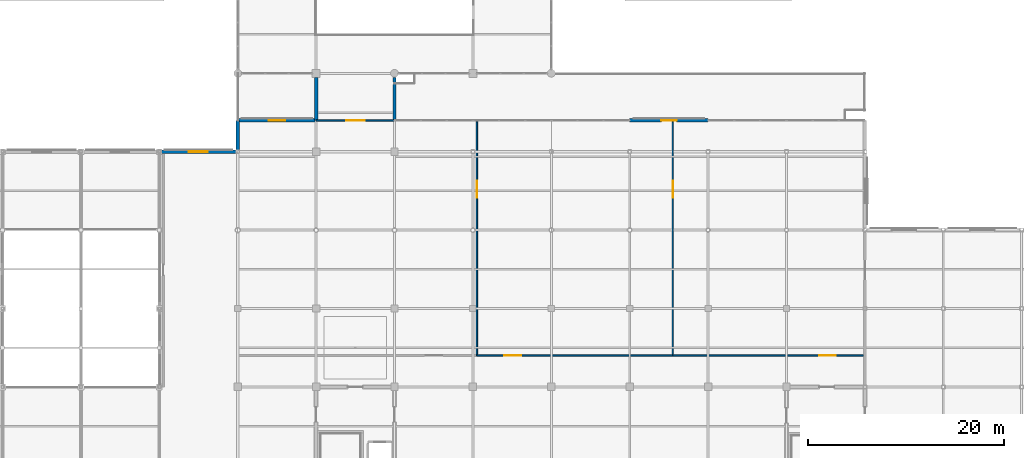
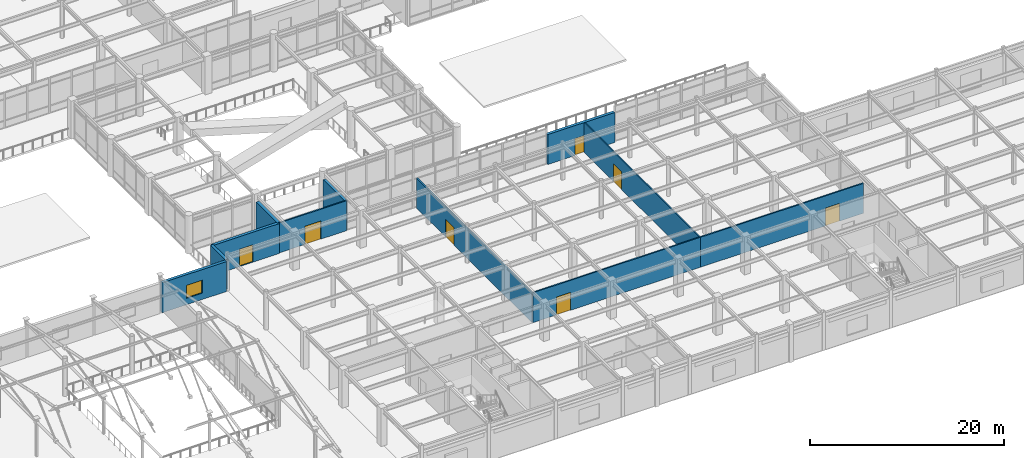
# One storey, part 92 of 117: 11 walls, 7 doors, 1 window, 8 openings.
"""IFC4 building model written with IfcOpenShell, lengths in metres."""

from ifc_helpers import new_model, si_unit, direction, frame, frame_2d, origin, place, context, subcontext, project, spatial, rectangle, extrude, material, layer, layer_set, type_object, element, fill, save


model = new_model("IFC4")

# Units and contexts
model_context = context("Model", 3, precision=1e-05, world=origin(), true_north=direction((0.0, 1.0)))
body_context = subcontext(model_context, "Body", "Model", "MODEL_VIEW")
ifc_project = project(units=[si_unit("LENGTHUNIT", "METRE"), si_unit("AREAUNIT", "SQUARE_METRE"), si_unit("VOLUMEUNIT", "CUBIC_METRE"), si_unit("PLANEANGLEUNIT", "RADIAN"), si_unit("MASSUNIT", "GRAM", prefix="KILO")], contexts=[model_context])

# Site, building, storey
site_placement = place(None, origin())
site = spatial("IfcSite", under=ifc_project, at=site_placement, CompositionType="ELEMENT")
building_placement = place(site_placement, origin())
building = spatial("IfcBuilding", under=site, at=building_placement, Name="Solmirada Galleria", CompositionType="ELEMENT")
storey_placement = place(building_placement, frame((0.0, 0.0, 5.60009765625)))
storey = spatial("IfcBuildingStorey", under=building, at=storey_placement, Name="L01", CompositionType="ELEMENT", Elevation=5.60009765625)

# Wall
ifc_material_1 = material(Name="Precast concrete C40/50", Category="concrete")
ifc_layer_1 = layer(ifc_material_1, 0.340087890625)
ifc_layer_set_1 = layer_set([ifc_layer_1], Name="Precast concrete C40/50")
wall_type_1 = type_object("IfcWallType", Name="WL-EXT-340", PredefinedType="STANDARD", material=ifc_layer_set_1)
wall_1_placement = place(storey_placement, frame((80.0, 40.177978515625, 0.0), z_axis=(0.0, 0.0, 1.0), x_axis=(0.0, 1.0, 0.0)))
element("IfcWall", 1, at=wall_1_placement, inside=storey, type_object=wall_type_1, Name="Exterior wall L01 bay 001", PredefinedType="STANDARD", context=body_context, shape_type="SweptSolid", body=[
    extrude(rectangle(XDim=3.02197265625, YDim=0.340087890625, at=frame_2d((1.510986328125, 0.0))), origin(), (0.0, 0.0, 1.0), 3.77978515625),
])

# Wall, opening, door
wall_2_placement = place(storey_placement, frame((80.0, 43.199951171875, 0.0), z_axis=(0.0, 0.0, 1.0), x_axis=(1.0, 0.0, 0.0)))
wall_2 = element("IfcWall", 2, at=wall_2_placement, inside=storey, type_object=wall_type_1, Name="Exterior wall L01 bay 002", PredefinedType="STANDARD", context=body_context, shape_type="SweptSolid", body=[
    extrude(rectangle(XDim=8.0, YDim=0.340087890625, at=frame_2d((4.0, 0.0))), origin(), (0.0, 0.0, 1.0), 3.77978515625),
])
opening_1_placement = place(wall_2_placement, frame((3.175048828125, 0.0, 0.0)))
opening_1 = element("IfcOpeningElement", 3, at=opening_1_placement, cuts=wall_2, Name="Opening TD-056", PredefinedType="OPENING", context=body_context, shape_type="SweptSolid", body=[
    extrude(rectangle(XDim=1.64990234375, YDim=2.199951171875, at=frame_2d((0.824951171875, 1.10009765625))), frame((0.0, 0.179931640625, 0.0), z_axis=(0.0, -1.0, 0.0), x_axis=(1.0, 0.0, 0.0)), (0.0, 0.0, 1.0), 0.360107421875),
])
ifc_material_2 = material(Name="Thermally broken aluminium and laminated glass door", Category="aluminium")
door_type_1 = type_object("IfcDoorType", Name="DR-TERR-165X220", OperationType="DOUBLE_DOOR_SINGLE_SWING", PredefinedType="DOOR", material=ifc_material_2)
door_1_placement = place(opening_1_placement, origin())
door_1 = element("IfcDoor", 4, at=door_1_placement, inside=storey, type_object=door_type_1, Name="Planted terrace access door TD-056", OperationType="DOUBLE_DOOR_SINGLE_SWING", OverallHeight=2.199951171875, OverallWidth=1.64990234375, PredefinedType="DOOR", context=body_context, shape_type="SweptSolid", body=[
    extrude(rectangle(XDim=1.64990234375, YDim=2.199951171875, at=frame_2d((0.824951171875, 1.10009765625))), frame((0.0, 0.02490234375, 0.0), z_axis=(0.0, -1.0, 0.0), x_axis=(1.0, 0.0, 0.0)), (0.0, 0.0, 1.0), 0.050048828125),
])
fill(opening_1, door_1)

# Walls
for number, where, z_axis, x_axis, name in (
    (5, (88.0, 43.199951171875, 0.0), (0.0, 0.0, 1.0), (0.0, 1.0, 0.0), "Exterior wall L01 bay 003"),
    (6, (96.0, 47.60009765625, 0.0), (0.0, 0.0, 1.0), (0.0, -1.0, 0.0), "Exterior wall L01 bay 064"),
):
    element("IfcWall", number, at=place(storey_placement, frame(where, z_axis=z_axis, x_axis=x_axis)), inside=storey, type_object=wall_type_1, Name=name, PredefinedType="STANDARD", context=body_context, shape_type="SweptSolid", body=[
        extrude(rectangle(XDim=4.400146484375, YDim=0.340087890625, at=frame_2d((2.2001953125, 0.0))), origin(), (0.0, 0.0, 1.0), 3.77978515625),
    ])

# Wall, opening, door
wall_3_placement = place(storey_placement, frame((120.0, 43.199951171875, 0.0), z_axis=(0.0, 0.0, 1.0), x_axis=(1.0, 0.0, 0.0)))
wall_3 = element("IfcWall", 7, at=wall_3_placement, inside=storey, type_object=wall_type_1, Name="Exterior wall L01 bay 068", PredefinedType="STANDARD", context=body_context, shape_type="SweptSolid", body=[
    extrude(rectangle(XDim=8.0, YDim=0.340087890625, at=frame_2d((4.0, 0.0))), origin(), (0.0, 0.0, 1.0), 3.77978515625),
])
opening_2_placement = place(wall_3_placement, frame((3.22509765625, 0.0, 0.0)))
opening_2 = element("IfcOpeningElement", 8, at=opening_2_placement, cuts=wall_3, Name="Opening TD-059", PredefinedType="OPENING", context=body_context, shape_type="SweptSolid", body=[
    extrude(rectangle(XDim=1.550048828125, YDim=2.14990234375, at=frame_2d((0.77490234375, 1.074951171875))), frame((0.0, 0.179931640625, 0.0), z_axis=(0.0, -1.0, 0.0), x_axis=(1.0, 0.0, 0.0)), (0.0, 0.0, 1.0), 0.360107421875),
])
door_type_2 = type_object("IfcDoorType", Name="DR-TERR-155X215", OperationType="DOUBLE_DOOR_SINGLE_SWING", PredefinedType="DOOR", material=ifc_material_2)
door_2_placement = place(opening_2_placement, origin())
door_2 = element("IfcDoor", 9, at=door_2_placement, inside=storey, type_object=door_type_2, Name="Planted terrace access door TD-059", OperationType="DOUBLE_DOOR_SINGLE_SWING", OverallHeight=2.14990234375, OverallWidth=1.550048828125, PredefinedType="DOOR", context=body_context, shape_type="SweptSolid", body=[
    extrude(rectangle(XDim=1.550048828125, YDim=2.14990234375, at=frame_2d((0.77490234375, 1.074951171875))), frame((0.0, 0.02490234375, 0.0), z_axis=(0.0, -1.0, 0.0), x_axis=(1.0, 0.0, 0.0)), (0.0, 0.0, 1.0), 0.050048828125),
])
fill(opening_2, door_2)

# Wall, opening, window
wall_4_placement = place(storey_placement, frame((72.126953125, 40.0, 0.0), z_axis=(0.0, 0.0, 1.0), x_axis=(1.0, 0.0, 0.0)))
wall_4 = element("IfcWall", 10, at=wall_4_placement, inside=storey, type_object=wall_type_1, Name="Exterior wall L01 bay 107", PredefinedType="STANDARD", context=body_context, shape_type="SweptSolid", body=[
    extrude(rectangle(XDim=7.695068359375, YDim=0.340087890625, at=frame_2d((3.84765625, 0.0))), origin(), (0.0, 0.0, 1.0), 3.77978515625),
])
opening_3_placement = place(wall_4_placement, frame((2.89794921875, 0.0, 0.800048828125)))
opening_3 = element("IfcOpeningElement", 11, at=opening_3_placement, cuts=wall_4, Name="Opening WN18", PredefinedType="OPENING", context=body_context, shape_type="SweptSolid", body=[
    extrude(rectangle(XDim=1.89990234375, YDim=1.64990234375, at=frame_2d((0.949951171875, 0.824951171875))), frame((0.0, 0.179931640625, 0.0), z_axis=(0.0, -1.0, 0.0), x_axis=(1.0, 0.0, 0.0)), (0.0, 0.0, 1.0), 0.360107421875),
])
ifc_material_3 = material(Name="Impact-resistant low-E double glazing", Category="glass")
window_type = type_object("IfcWindowType", Name="WIN-FH-190X165", PartitioningType="DOUBLE_PANEL_VERTICAL", PredefinedType="WINDOW", material=ifc_material_3)
window_placement = place(opening_3_placement, origin())
window = element("IfcWindow", 12, at=window_placement, inside=storey, type_object=window_type, Name="Window L01-033", OverallHeight=1.64990234375, OverallWidth=1.89990234375, PartitioningType="DOUBLE_PANEL_VERTICAL", PredefinedType="WINDOW", context=body_context, shape_type="SweptSolid", body=[
    extrude(rectangle(XDim=1.89990234375, YDim=1.64990234375, at=frame_2d((0.949951171875, 0.824951171875))), frame((0.0, 0.030029296875, 0.0), z_axis=(0.0, -1.0, 0.0), x_axis=(1.0, 0.0, 0.0)), (0.0, 0.0, 1.0), 0.06005859375),
])
fill(opening_3, window)

# Wall, opening, door
ifc_material_4 = material(Name="Acoustic gypsum board partition")
ifc_layer_2 = layer(ifc_material_4, 0.135009765625)
ifc_layer_set_2 = layer_set([ifc_layer_2], Name="Acoustic gypsum board partition")
wall_type_2 = type_object("IfcWallType", Name="WL-PART-135", PredefinedType="PARTITIONING", material=ifc_layer_set_2)
wall_5_placement = place(storey_placement, frame((124.39990234375, 19.199951171875, 0.0), z_axis=(0.0, 0.0, 1.0), x_axis=(0.0, 1.0, 0.0)))
wall_5 = element("IfcWall", 13, at=wall_5_placement, inside=storey, type_object=wall_type_2, Name="Partition L01-058 (South Department E L01)", PredefinedType="PARTITIONING", context=body_context, shape_type="SweptSolid", body=[
    extrude(rectangle(XDim=23.85009765625, YDim=0.135009765625, at=frame_2d((11.925048828125, 0.0))), origin(), (0.0, 0.0, 1.0), 3.77978515625),
])
opening_4_placement = place(wall_5_placement, frame((16.1220703125, 0.0, 0.0)))
opening_4 = element("IfcOpeningElement", 14, at=opening_4_placement, cuts=wall_5, Name="Opening ID-298", PredefinedType="OPENING", context=body_context, shape_type="SweptSolid", body=[
    extrude(rectangle(XDim=1.699951171875, YDim=2.25, at=frame_2d((0.85009765625, 1.125))), frame((0.0, 0.077392578125, 0.0), z_axis=(0.0, -1.0, 0.0), x_axis=(1.0, 0.0, 0.0)), (0.0, 0.0, 1.0), 0.155029296875),
])
ifc_material_5 = material(Name="Architectural hardwood veneer door", Category="wood")
door_type_3 = type_object("IfcDoorType", Name="DR-DEPT-170X225", OperationType="DOUBLE_DOOR_SINGLE_SWING", PredefinedType="DOOR", material=ifc_material_5)
door_3_placement = place(opening_4_placement, origin())
door_3 = element("IfcDoor", 15, at=door_3_placement, inside=storey, type_object=door_type_3, Name="South Department E L01 door ID-298", OperationType="DOUBLE_DOOR_SINGLE_SWING", OverallHeight=2.25, OverallWidth=1.699951171875, PredefinedType="DOOR", context=body_context, shape_type="SweptSolid", body=[
    extrude(rectangle(XDim=1.699951171875, YDim=2.25, at=frame_2d((0.85009765625, 1.125))), frame((0.0, 0.02490234375, 0.0), z_axis=(0.0, -1.0, 0.0), x_axis=(1.0, 0.0, 0.0)), (0.0, 0.0, 1.0), 0.050048828125),
])
fill(opening_4, door_3)

ifc_layer_3 = layer(ifc_material_4, 0.159912109375)
ifc_layer_set_3 = layer_set([ifc_layer_3], Name="Acoustic gypsum board partition")
wall_type_3 = type_object("IfcWallType", Name="WL-PART-160", PredefinedType="PARTITIONING", material=ifc_layer_set_3)
wall_6_placement = place(storey_placement, frame((104.39990234375, 19.199951171875, 0.0), z_axis=(0.0, 0.0, 1.0), x_axis=(1.0, 0.0, 0.0)))
wall_6 = element("IfcWall", 16, at=wall_6_placement, inside=storey, type_object=wall_type_3, Name="Partition L01-055 (South Gallery C L01)", PredefinedType="PARTITIONING", context=body_context, shape_type="SweptSolid", body=[
    extrude(rectangle(XDim=20.0, YDim=0.159912109375, at=frame_2d((10.0, 0.0))), origin(), (0.0, 0.0, 1.0), 3.77978515625),
])
opening_5_placement = place(wall_6_placement, frame((2.820068359375, 0.0, 0.0)))
opening_5 = element("IfcOpeningElement", 17, at=opening_5_placement, cuts=wall_6, Name="Opening ID-295", PredefinedType="OPENING", context=body_context, shape_type="SweptSolid", body=[
    extrude(rectangle(XDim=1.699951171875, YDim=2.25, at=frame_2d((0.85009765625, 1.125))), frame((0.0, 0.08984375, 0.0), z_axis=(0.0, -1.0, 0.0), x_axis=(1.0, 0.0, 0.0)), (0.0, 0.0, 1.0), 0.179931640625),
])
door_4_placement = place(opening_5_placement, origin())
door_4 = element("IfcDoor", 18, at=door_4_placement, inside=storey, type_object=door_type_3, Name="South Gallery C L01 door ID-295", OperationType="DOUBLE_DOOR_SINGLE_SWING", OverallHeight=2.25, OverallWidth=1.699951171875, PredefinedType="DOOR", context=body_context, shape_type="SweptSolid", body=[
    extrude(rectangle(XDim=1.699951171875, YDim=2.25, at=frame_2d((0.85009765625, 1.125))), frame((0.0, 0.02490234375, 0.0), z_axis=(0.0, -1.0, 0.0), x_axis=(1.0, 0.0, 0.0)), (0.0, 0.0, 1.0), 0.050048828125),
])
fill(opening_5, door_4)

wall_7_placement = place(storey_placement, frame((124.39990234375, 19.199951171875, 0.0), z_axis=(0.0, 0.0, 1.0), x_axis=(1.0, 0.0, 0.0)))
wall_7 = element("IfcWall", 19, at=wall_7_placement, inside=storey, type_object=wall_type_3, Name="Partition L01-056 (South Gallery E L01)", PredefinedType="PARTITIONING", context=body_context, shape_type="SweptSolid", body=[
    extrude(rectangle(XDim=19.4501953125, YDim=0.159912109375, at=frame_2d((9.72509765625, 0.0))), origin(), (0.0, 0.0, 1.0), 3.77978515625),
])
opening_6_placement = place(wall_7_placement, frame((14.919921875, 0.0, 0.0)))
opening_6 = element("IfcOpeningElement", 20, at=opening_6_placement, cuts=wall_7, Name="Opening ID-296", PredefinedType="OPENING", context=body_context, shape_type="SweptSolid", body=[
    extrude(rectangle(XDim=1.699951171875, YDim=2.25, at=frame_2d((0.85009765625, 1.125))), frame((0.0, 0.08984375, 0.0), z_axis=(0.0, -1.0, 0.0), x_axis=(1.0, 0.0, 0.0)), (0.0, 0.0, 1.0), 0.179931640625),
])
door_5_placement = place(opening_6_placement, origin())
door_5 = element("IfcDoor", 21, at=door_5_placement, inside=storey, type_object=door_type_3, Name="South Gallery E L01 door ID-296", OperationType="DOUBLE_DOOR_SINGLE_SWING", OverallHeight=2.25, OverallWidth=1.699951171875, PredefinedType="DOOR", context=body_context, shape_type="SweptSolid", body=[
    extrude(rectangle(XDim=1.699951171875, YDim=2.25, at=frame_2d((0.85009765625, 1.125))), frame((0.0, 0.02490234375, 0.0), z_axis=(0.0, -1.0, 0.0), x_axis=(1.0, 0.0, 0.0)), (0.0, 0.0, 1.0), 0.050048828125),
])
fill(opening_6, door_5)

wall_8_placement = place(storey_placement, frame((104.39990234375, 19.199951171875, 0.0), z_axis=(0.0, 0.0, 1.0), x_axis=(0.0, 1.0, 0.0)))
wall_8 = element("IfcWall", 22, at=wall_8_placement, inside=storey, type_object=wall_type_3, Name="Partition L01-057 (South Department W L01)", PredefinedType="PARTITIONING", context=body_context, shape_type="SweptSolid", body=[
    extrude(rectangle(XDim=23.85009765625, YDim=0.159912109375, at=frame_2d((11.925048828125, 0.0))), origin(), (0.0, 0.0, 1.0), 3.77978515625),
])
opening_7_placement = place(wall_8_placement, frame((16.1220703125, 0.0, 0.0)))
opening_7 = element("IfcOpeningElement", 23, at=opening_7_placement, cuts=wall_8, Name="Opening ID-297", PredefinedType="OPENING", context=body_context, shape_type="SweptSolid", body=[
    extrude(rectangle(XDim=1.699951171875, YDim=2.25, at=frame_2d((0.85009765625, 1.125))), frame((0.0, 0.08984375, 0.0), z_axis=(0.0, -1.0, 0.0), x_axis=(1.0, 0.0, 0.0)), (0.0, 0.0, 1.0), 0.179931640625),
])
door_6_placement = place(opening_7_placement, origin())
door_6 = element("IfcDoor", 24, at=door_6_placement, inside=storey, type_object=door_type_3, Name="South Department W L01 door ID-297", OperationType="DOUBLE_DOOR_SINGLE_SWING", OverallHeight=2.25, OverallWidth=1.699951171875, PredefinedType="DOOR", context=body_context, shape_type="SweptSolid", body=[
    extrude(rectangle(XDim=1.699951171875, YDim=2.25, at=frame_2d((0.85009765625, 1.125))), frame((0.0, 0.02490234375, 0.0), z_axis=(0.0, -1.0, 0.0), x_axis=(1.0, 0.0, 0.0)), (0.0, 0.0, 1.0), 0.050048828125),
])
fill(opening_7, door_6)

wall_9_placement = place(storey_placement, frame((88.0, 43.199951171875, 0.0), z_axis=(0.0, 0.0, 1.0), x_axis=(1.0, 0.0, 0.0)))
wall_9 = element("IfcWall", 25, at=wall_9_placement, inside=storey, type_object=wall_type_3, Name="Partition L01-059 (South Atrium Link L01)", PredefinedType="PARTITIONING", context=body_context, shape_type="SweptSolid", body=[
    extrude(rectangle(XDim=8.0, YDim=0.159912109375, at=frame_2d((4.0, 0.0))), origin(), (0.0, 0.0, 1.0), 3.77978515625),
])
opening_8_placement = place(wall_9_placement, frame((3.050048828125, 0.0, 0.0)))
opening_8 = element("IfcOpeningElement", 26, at=opening_8_placement, cuts=wall_9, Name="Opening ID-299", PredefinedType="OPENING", context=body_context, shape_type="SweptSolid", body=[
    extrude(rectangle(XDim=1.89990234375, YDim=2.300048828125, at=frame_2d((0.949951171875, 1.14990234375))), frame((0.0, 0.08984375, 0.0), z_axis=(0.0, -1.0, 0.0), x_axis=(1.0, 0.0, 0.0)), (0.0, 0.0, 1.0), 0.179931640625),
])
door_type_4 = type_object("IfcDoorType", Name="DR-DEPT-190X230", OperationType="DOUBLE_DOOR_SINGLE_SWING", PredefinedType="DOOR", material=ifc_material_5)
door_7_placement = place(opening_8_placement, origin())
door_7 = element("IfcDoor", 27, at=door_7_placement, inside=storey, type_object=door_type_4, Name="South Atrium Link L01 door ID-299", OperationType="DOUBLE_DOOR_SINGLE_SWING", OverallHeight=2.300048828125, OverallWidth=1.89990234375, PredefinedType="DOOR", context=body_context, shape_type="SweptSolid", body=[
    extrude(rectangle(XDim=1.89990234375, YDim=2.300048828125, at=frame_2d((0.949951171875, 1.14990234375))), frame((0.0, 0.02490234375, 0.0), z_axis=(0.0, -1.0, 0.0), x_axis=(1.0, 0.0, 0.0)), (0.0, 0.0, 1.0), 0.050048828125),
])
fill(opening_8, door_7)

save(model, "model.ifc")
